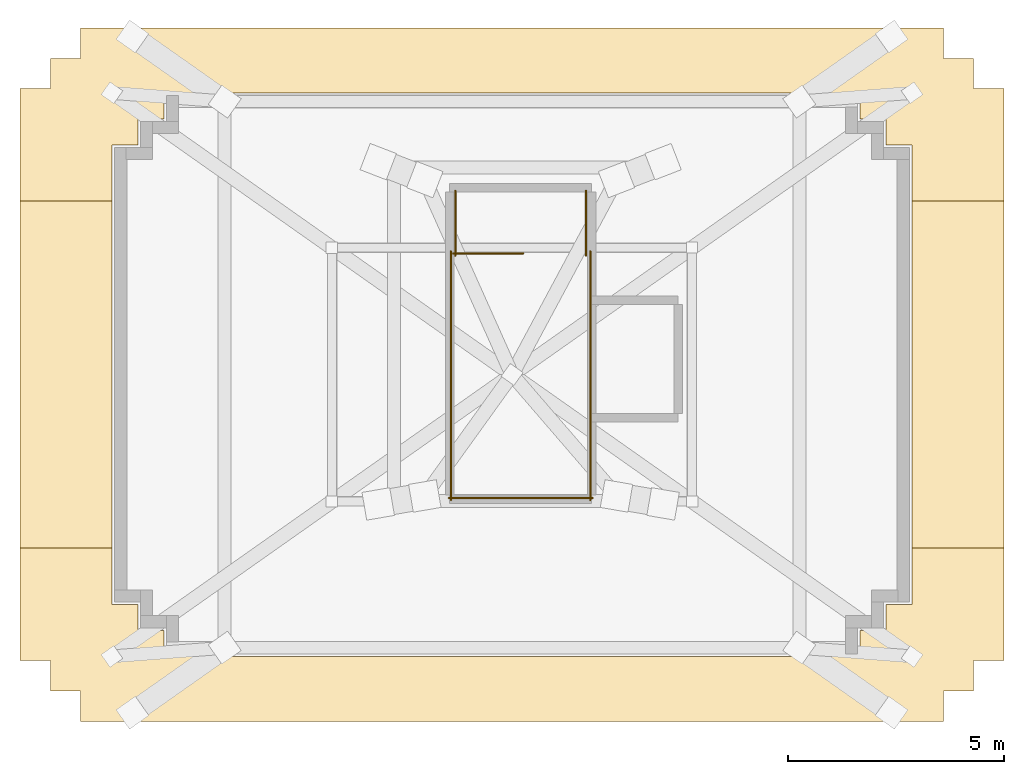
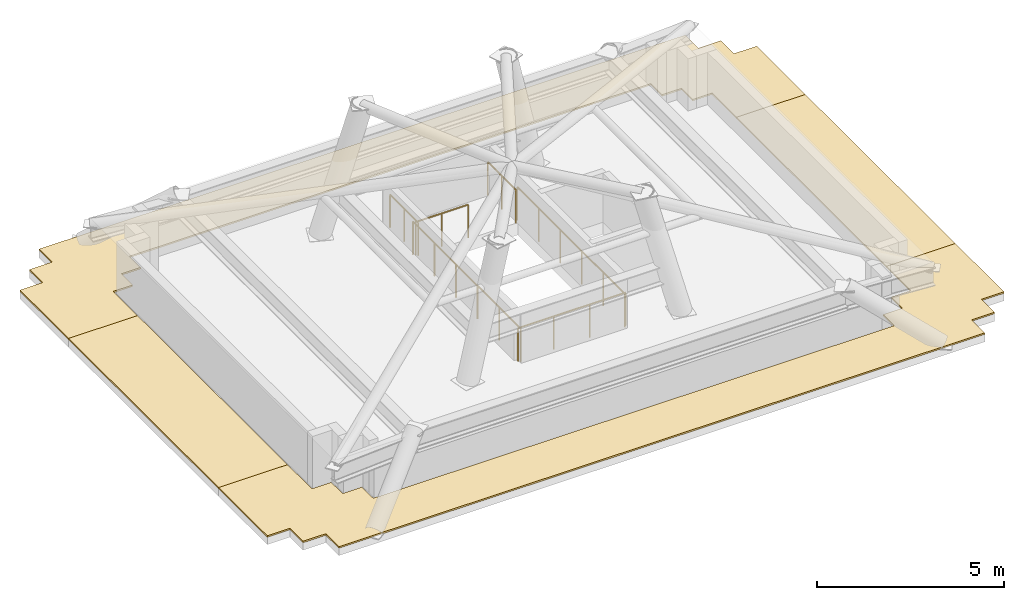
# One storey, part 3 of 3: 6 railings, 4 coverings.
"""IFC4 building model written with IfcOpenShell, lengths in metres."""

from ifc_helpers import new_model, si_unit, direction, frame, origin, origin_2d, place, context, subcontext, project, spatial, polyline, circle, outline, extrude, material, layer, layer_set, type_object, element, save


model = new_model("IFC4")

# Units and contexts
model_context = context("Model", 3, precision=1e-05, world=origin(), true_north=direction((0.0, 1.0)))
body_context = subcontext(model_context, "Body", "Model", "MODEL_VIEW")
ifc_project = project(units=[si_unit("LENGTHUNIT", "METRE"), si_unit("AREAUNIT", "SQUARE_METRE"), si_unit("VOLUMEUNIT", "CUBIC_METRE"), si_unit("PLANEANGLEUNIT", "RADIAN"), si_unit("MASSUNIT", "GRAM", prefix="KILO")], contexts=[model_context])

# Site, building, storey
site_placement = place(None, origin())
site = spatial("IfcSite", under=ifc_project, at=site_placement, CompositionType="ELEMENT")
building_placement = place(site_placement, origin())
building = spatial("IfcBuilding", under=site, at=building_placement, Name="Qobustan Lattice House", CompositionType="ELEMENT")
storey_placement = place(building_placement, frame((0.0, 0.0, 293.0)))
storey = spatial("IfcBuildingStorey", under=building, at=storey_placement, Name="L82", CompositionType="ELEMENT", Elevation=293.0)

# Coverings
ifc_material_1 = material(Name="Insulated stone-ballasted roof membrane", Category="masonry")
ifc_layer = layer(ifc_material_1, 0.050048828125)
ifc_layer_set = layer_set([ifc_layer], Name="Insulated stone-ballasted roof membrane")
covering_type = type_object("IfcCoveringType", Name="COV-ROOF-MEMB", PredefinedType="ROOFING", material=ifc_layer_set)
covering_1_placement = place(storey_placement, origin())
element("IfcCovering", 1, at=covering_1_placement, inside=storey, type_object=covering_type, Name="L82 crown step roof membrane 1", PredefinedType="ROOFING", context=body_context, shape_type="SweptSolid", body=[
    extrude(outline(polyline([(-10.16650390625, -8.908447265625), (-10.16650390625, -9.6083984375), (9.7666015625, -9.6083984375), (9.7666015625, -8.908447265625), (10.466552734375, -8.908447265625), (10.466552734375, -8.20849609375), (11.16650390625, -8.20849609375), (11.16650390625, -5.610107421875), (9.0400390625, -5.610107421875), (9.0400390625, -6.909912109375), (8.43994140625, -6.909912109375), (8.43994140625, -7.510009765625), (7.840087890625, -7.510009765625), (7.840087890625, -8.110107421875), (-8.239990234375, -8.110107421875), (-8.239990234375, -7.510009765625), (-8.840087890625, -7.510009765625), (-8.840087890625, -6.909912109375), (-9.43994140625, -6.909912109375), (-9.43994140625, -5.610107421875), (-11.56640625, -5.610107421875), (-11.56640625, -8.20849609375), (-10.866455078125, -8.20849609375), (-10.866455078125, -8.908447265625), (-10.16650390625, -8.908447265625)])), origin(), (0.0, 0.0, 1.0), 0.050048828125),
])
covering_2_placement = place(storey_placement, origin())
element("IfcCovering", 2, at=covering_2_placement, inside=storey, type_object=covering_type, Name="L82 crown step roof membrane 2", PredefinedType="ROOFING", context=body_context, shape_type="SweptSolid", body=[
    extrude(outline(polyline([(-11.56640625, 2.409912109375), (-9.43994140625, 2.409912109375), (-9.43994140625, 3.7099609375), (-8.840087890625, 3.7099609375), (-8.840087890625, 4.31005859375), (-8.239990234375, 4.31005859375), (-8.239990234375, 4.909912109375), (7.840087890625, 4.909912109375), (7.840087890625, 4.31005859375), (8.43994140625, 4.31005859375), (8.43994140625, 3.7099609375), (9.0400390625, 3.7099609375), (9.0400390625, 2.409912109375), (11.16650390625, 2.409912109375), (11.16650390625, 5.008544921875), (10.466552734375, 5.008544921875), (10.466552734375, 5.70849609375), (9.7666015625, 5.70849609375), (9.7666015625, 6.408447265625), (-10.16650390625, 6.408447265625), (-10.16650390625, 5.70849609375), (-10.866455078125, 5.70849609375), (-10.866455078125, 5.008544921875), (-11.56640625, 5.008544921875), (-11.56640625, 2.409912109375)])), origin(), (0.0, 0.0, 1.0), 0.050048828125),
])
covering_3_placement = place(storey_placement, origin())
element("IfcCovering", 3, at=covering_3_placement, inside=storey, type_object=covering_type, Name="L82 crown step roof membrane 3", PredefinedType="ROOFING", context=body_context, shape_type="SweptSolid", body=[
    extrude(outline(polyline([(-11.56640625, -5.610107421875), (-9.43994140625, -5.610107421875), (-9.43994140625, 2.409912109375), (-11.56640625, 2.409912109375), (-11.56640625, -5.610107421875)])), origin(), (0.0, 0.0, 1.0), 0.050048828125),
])
covering_4_placement = place(storey_placement, origin())
element("IfcCovering", 4, at=covering_4_placement, inside=storey, type_object=covering_type, Name="L82 crown step roof membrane 4", PredefinedType="ROOFING", context=body_context, shape_type="SweptSolid", body=[
    extrude(outline(polyline([(11.16650390625, 2.409912109375), (9.0400390625, 2.409912109375), (9.0400390625, -5.610107421875), (11.16650390625, -5.610107421875), (11.16650390625, 2.409912109375)])), origin(), (0.0, 0.0, 1.0), 0.050048828125),
])

# Railings
ifc_material_2 = material(Name="Painted galvanized steel guardrail", Category="steel")
railing_type = type_object("IfcRailingType", Name="RAL-STG-1150", PredefinedType="GUARDRAIL", material=ifc_material_2)
railing_1_placement = place(storey_placement, frame((-1.56005859375, 1.199951171875, 0.0)))
element("IfcRailing", 5, at=railing_1_placement, inside=storey, type_object=railing_type, Name="L82 ST-C1 top well guard 1", PredefinedType="GUARDRAIL", context=body_context, shape_type="SweptSolid", body=[
    extrude(circle(Radius=0.02392578125, at=origin_2d()), frame((0.0, 0.0, 1.076171875), z_axis=(1.0, 0.0, 0.0), x_axis=(0.0, 1.0, 0.0)), (0.0, 0.0, 1.0), 1.6201171875),
    extrude(circle(Radius=0.02099609375, at=origin_2d()), origin(), (0.0, 0.0, 1.0), 1.052001953125),
    extrude(circle(Radius=0.02099609375, at=origin_2d()), frame((0.81005859375, 0.0, 0.0)), (0.0, 0.0, 1.0), 1.052001953125),
    extrude(circle(Radius=0.02099609375, at=origin_2d()), frame((1.6201171875, 0.0, 0.0)), (0.0, 0.0, 1.0), 1.052001953125),
])
for number, where, name in (
    (6, (-1.610107421875, 1.25, 0.0), "L82 ST-C1 top well guard 2"),
    (7, (1.610107421875, 1.25, 0.0), "L82 ST-C1 top well guard 3"),
):
    element("IfcRailing", number, at=place(storey_placement, frame(where)), inside=storey, type_object=railing_type, Name=name, PredefinedType="GUARDRAIL", context=body_context, shape_type="SweptSolid", body=[
        extrude(circle(Radius=0.02392578125, at=origin_2d()), frame((0.0, 0.0, 1.076171875), z_axis=(0.0, -1.0, 0.0), x_axis=(1.0, 0.0, 0.0)), (0.0, 0.0, 1.0), 5.75),
        extrude(circle(Radius=0.02099609375, at=origin_2d()), origin(), (0.0, 0.0, 1.0), 1.052001953125),
        extrude(circle(Radius=0.02099609375, at=origin_2d()), frame((0.0, -1.14990234375, 0.0)), (0.0, 0.0, 1.0), 1.052001953125),
        extrude(circle(Radius=0.02099609375, at=origin_2d()), frame((0.0, -2.300048828125, 0.0)), (0.0, 0.0, 1.0), 1.052001953125),
        extrude(circle(Radius=0.02099609375, at=origin_2d()), frame((0.0, -3.449951171875, 0.0)), (0.0, 0.0, 1.0), 1.052001953125),
        extrude(circle(Radius=0.02099609375, at=origin_2d()), frame((0.0, -4.60009765625, 0.0)), (0.0, 0.0, 1.0), 1.052001953125),
        extrude(circle(Radius=0.02099609375, at=origin_2d()), frame((0.0, -5.75, 0.0)), (0.0, 0.0, 1.0), 1.052001953125),
    ])
railing_2_placement = place(storey_placement, frame((-1.659912109375, -4.449951171875, 0.0)))
element("IfcRailing", 8, at=railing_2_placement, inside=storey, type_object=railing_type, Name="L82 ST-C1 top well guard 4", PredefinedType="GUARDRAIL", context=body_context, shape_type="SweptSolid", body=[
    extrude(circle(Radius=0.02392578125, at=origin_2d()), frame((0.0, 0.0, 1.076171875), z_axis=(1.0, 0.0, 0.0), x_axis=(0.0, 1.0, 0.0)), (0.0, 0.0, 1.0), 3.31982421875),
    extrude(circle(Radius=0.02099609375, at=origin_2d()), origin(), (0.0, 0.0, 1.0), 1.052001953125),
    extrude(circle(Radius=0.02099609375, at=origin_2d()), frame((1.106689453125, 0.0, 0.0)), (0.0, 0.0, 1.0), 1.052001953125),
    extrude(circle(Radius=0.02099609375, at=origin_2d()), frame((2.213134765625, 0.0, 0.0)), (0.0, 0.0, 1.0), 1.052001953125),
    extrude(circle(Radius=0.02099609375, at=origin_2d()), frame((3.31982421875, 0.0, 0.0)), (0.0, 0.0, 1.0), 1.052001953125),
])
for number, where, name in (
    (9, (-1.510009765625, 2.64990234375, 0.0), "L82 ST-C1 top well guard 5"),
    (10, (1.510009765625, 2.64990234375, 0.0), "L82 ST-C1 top well guard 6"),
):
    element("IfcRailing", number, at=place(storey_placement, frame(where)), inside=storey, type_object=railing_type, Name=name, PredefinedType="GUARDRAIL", context=body_context, shape_type="SweptSolid", body=[
        extrude(circle(Radius=0.02392578125, at=origin_2d()), frame((0.0, 0.0, 1.076171875), z_axis=(0.0, -1.0, 0.0), x_axis=(1.0, 0.0, 0.0)), (0.0, 0.0, 1.0), 1.5),
        extrude(circle(Radius=0.02099609375, at=origin_2d()), origin(), (0.0, 0.0, 1.0), 1.052001953125),
        extrude(circle(Radius=0.02099609375, at=origin_2d()), frame((0.0, -0.75, 0.0)), (0.0, 0.0, 1.0), 1.052001953125),
        extrude(circle(Radius=0.02099609375, at=origin_2d()), frame((0.0, -1.5, 0.0)), (0.0, 0.0, 1.0), 1.052001953125),
    ])

save(model, "model.ifc")
